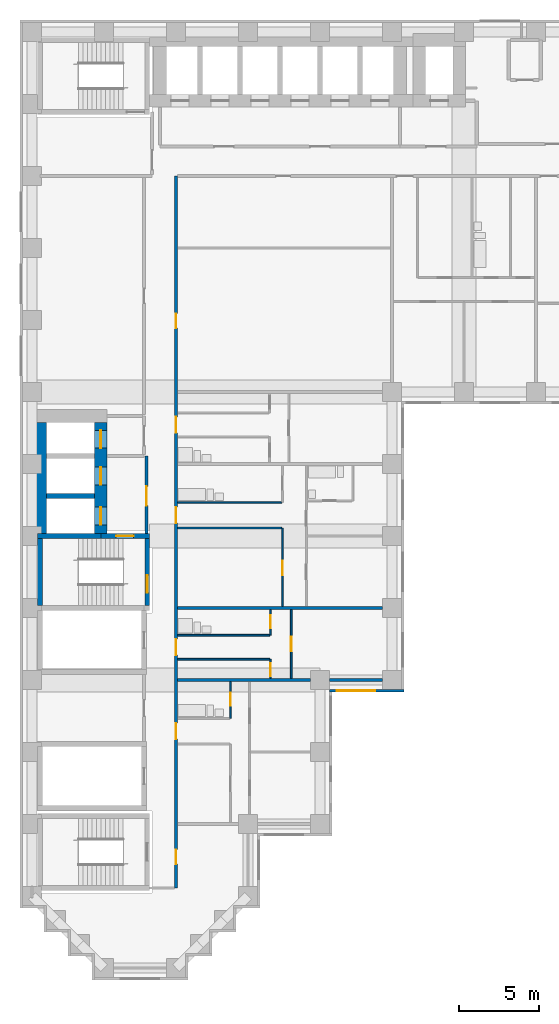
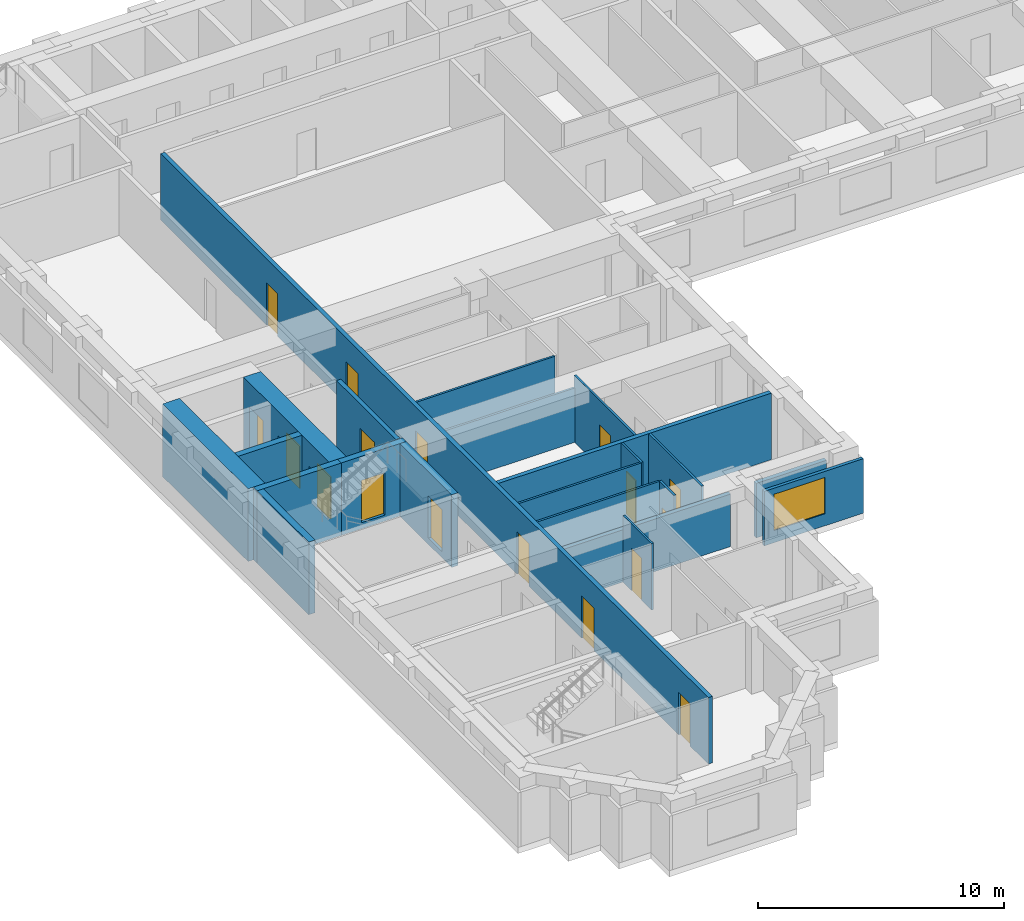
# One storey, part 3 of 11: 22 walls, 17 doors, 1 window, 18 openings.
"""IFC4 building model written with IfcOpenShell, lengths in metres."""

from ifc_helpers import new_model, si_unit, direction, frame, frame_2d, origin, place, context, subcontext, project, spatial, rectangle, extrude, material, layer, layer_set, type_object, element, fill, save


model = new_model("IFC4")

# Units and contexts
model_context = context("Model", 3, precision=1e-05, world=origin(), true_north=direction((0.0, 1.0)))
body_context = subcontext(model_context, "Body", "Model", "MODEL_VIEW")
ifc_project = project(units=[si_unit("LENGTHUNIT", "METRE"), si_unit("AREAUNIT", "SQUARE_METRE"), si_unit("VOLUMEUNIT", "CUBIC_METRE"), si_unit("PLANEANGLEUNIT", "RADIAN"), si_unit("MASSUNIT", "GRAM", prefix="KILO")], contexts=[model_context])

# Site, building, storey
site_placement = place(None, origin())
site = spatial("IfcSite", under=ifc_project, at=site_placement, CompositionType="ELEMENT")
building_placement = place(site_placement, origin())
building = spatial("IfcBuilding", under=site, at=building_placement, Name="Firuza Court", CompositionType="ELEMENT")
storey_placement = place(building_placement, frame((0.0, 0.0, 86.60009765625)))
storey = spatial("IfcBuildingStorey", under=building, at=storey_placement, Name="L21", CompositionType="ELEMENT", Elevation=86.60009765625)

# Walls
ifc_material_1 = material(Name="Moisture-resistant gypsum board partition")
ifc_layer_1 = layer(ifc_material_1, 0.10009765625)
ifc_layer_set_1 = layer_set([ifc_layer_1], Name="Moisture-resistant gypsum board partition")
wall_type_1 = type_object("IfcWallType", Name="Bathroom partition 100", PredefinedType="PLUMBINGWALL", material=ifc_layer_set_1)
wall_1_placement = place(storey_placement, frame((9.10009765625, 20.800048828125, 0.0), z_axis=(0.0, 0.0, 1.0), x_axis=(1.0, 0.0, 0.0)))
element("IfcWall", 1, at=wall_1_placement, inside=storey, type_object=wall_type_1, Name="Bathroom partition 100 L21", PredefinedType="PLUMBINGWALL", context=body_context, shape_type="SweptSolid", body=[
    extrude(rectangle(XDim=5.75, YDim=0.10009765625, at=frame_2d((2.875, 0.0))), origin(), (0.0, 0.0, 1.0), 3.2998046875),
])
wall_2_placement = place(storey_placement, frame((9.10009765625, 29.10009765625, 0.0), z_axis=(0.0, 0.0, 1.0), x_axis=(1.0, 0.0, 0.0)))
element("IfcWall", 2, at=wall_2_placement, inside=storey, type_object=wall_type_1, Name="Bathroom partition 100 L21", PredefinedType="PLUMBINGWALL", context=body_context, shape_type="SweptSolid", body=[
    extrude(rectangle(XDim=6.5, YDim=0.10009765625, at=frame_2d((3.25, 0.0))), origin(), (0.0, 0.0, 1.0), 3.2998046875),
])
ifc_material_2 = material(Name="Concrete C60/75", Category="concrete")
ifc_layer_2 = layer(ifc_material_2, 0.300048828125)
ifc_layer_set_2 = layer_set([ifc_layer_2], Name="Concrete C60/75")
wall_type_2 = type_object("IfcWallType", Name="Core wall 300 C60/75", PredefinedType="SHEAR", material=ifc_layer_set_2)
wall_3_placement = place(storey_placement, frame((0.35009765625, 27.0, -0.300048828125), z_axis=(0.0, 0.0, 1.0), x_axis=(1.0, 0.0, 0.0)))
element("IfcWall", 3, at=wall_3_placement, inside=storey, type_object=wall_type_2, Name="Core wall lift shaft L21", PredefinedType="SHEAR", context=body_context, shape_type="SweptSolid", body=[
    extrude(rectangle(XDim=3.949951171875, YDim=0.300048828125, at=frame_2d((1.97509765625, 0.0))), origin(), (0.0, 0.0, 1.0), 3.599853515625),
])
wall_4_placement = place(storey_placement, frame((0.5, 22.64990234375, -0.300048828125), z_axis=(0.0, 0.0, 1.0), x_axis=(0.0, 1.0, 0.0)))
element("IfcWall", 4, at=wall_4_placement, inside=storey, type_object=wall_type_2, Name="Core wall stair L21", PredefinedType="SHEAR", context=body_context, shape_type="SweptSolid", body=[
    extrude(rectangle(XDim=4.2001953125, YDim=0.300048828125, at=frame_2d((2.10009765625, 0.0))), origin(), (0.0, 0.0, 1.0), 3.599853515625),
])
wall_5_placement = place(storey_placement, frame((0.89990234375, 29.5, -0.300048828125), z_axis=(0.0, 0.0, 1.0), x_axis=(1.0, 0.0, 0.0)))
element("IfcWall", 5, at=wall_5_placement, inside=storey, type_object=wall_type_2, Name="Core wall lift shaft L21", PredefinedType="SHEAR", context=body_context, shape_type="SweptSolid", body=[
    extrude(rectangle(XDim=3.0, YDim=0.300048828125, at=frame_2d((1.5, 0.0))), origin(), (0.0, 0.0, 1.0), 3.599853515625),
])

# Wall, opening, door
wall_6_placement = place(storey_placement, frame((4.300048828125, 27.0, -0.300048828125), z_axis=(0.0, 0.0, 1.0), x_axis=(1.0, 0.0, 0.0)))
wall_6 = element("IfcWall", 6, at=wall_6_placement, inside=storey, type_object=wall_type_2, Name="Core wall stair L21", PredefinedType="SHEAR", context=body_context, shape_type="SweptSolid", body=[
    extrude(rectangle(XDim=3.050048828125, YDim=0.300048828125, at=frame_2d((1.52490234375, 0.0))), origin(), (0.0, 0.0, 1.0), 3.599853515625),
])
opening_1_placement = place(wall_6_placement, frame((0.949951171875, 0.0, 0.300048828125)))
opening_1 = element("IfcOpeningElement", 7, at=opening_1_placement, cuts=wall_6, Name="Opening D21014", PredefinedType="OPENING", context=body_context, shape_type="SweptSolid", body=[
    extrude(rectangle(XDim=1.10009765625, YDim=2.10009765625, at=frame_2d((0.550048828125, 1.050048828125))), frame((0.0, 0.162109375, 0.0), z_axis=(0.0, -1.0, 0.0), x_axis=(1.0, 0.0, 0.0)), (0.0, 0.0, 1.0), 0.323974609375),
])
ifc_material_3 = material(Name="Timber door leaf in hardwood frame", Category="wood")
door_type_1 = type_object("IfcDoorType", Name="Stair door 1100", OperationType="SINGLE_SWING_LEFT", PredefinedType="DOOR", material=ifc_material_3)
door_1_placement = place(opening_1_placement, frame((1.10009765625, 0.0, 0.0), z_axis=(0.0, 0.0, 1.0), x_axis=(-1.0, 0.0, 0.0)))
door_1 = element("IfcDoor", 8, at=door_1_placement, inside=storey, type_object=door_type_1, Name="Fire-fighting lobby door", OperationType="SINGLE_SWING_LEFT", OverallHeight=2.10009765625, OverallWidth=1.10009765625, PredefinedType="DOOR", context=body_context, shape_type="SweptSolid", body=[
    extrude(rectangle(XDim=1.10009765625, YDim=2.10009765625, at=frame_2d((0.550048828125, 1.050048828125))), frame((0.0, 0.02490234375, 0.0), z_axis=(0.0, -1.0, 0.0), x_axis=(1.0, 0.0, 0.0)), (0.0, 0.0, 1.0), 0.050048828125),
])
fill(opening_1, door_1)

wall_7_placement = place(storey_placement, frame((7.199951171875, 22.64990234375, -0.300048828125), z_axis=(0.0, 0.0, 1.0), x_axis=(0.0, 1.0, 0.0)))
wall_7 = element("IfcWall", 9, at=wall_7_placement, inside=storey, type_object=wall_type_2, Name="Core wall stair L21", PredefinedType="SHEAR", context=body_context, shape_type="SweptSolid", body=[
    extrude(rectangle(XDim=4.2001953125, YDim=0.300048828125, at=frame_2d((2.10009765625, 0.0))), origin(), (0.0, 0.0, 1.0), 3.599853515625),
])
opening_2_placement = place(wall_7_placement, frame((0.800048828125, 0.0, 0.300048828125)))
opening_2 = element("IfcOpeningElement", 10, at=opening_2_placement, cuts=wall_7, Name="Opening D21015", PredefinedType="OPENING", context=body_context, shape_type="SweptSolid", body=[
    extrude(rectangle(XDim=1.10009765625, YDim=2.10009765625, at=frame_2d((0.550048828125, 1.050048828125))), frame((0.0, 0.162109375, 0.0), z_axis=(0.0, -1.0, 0.0), x_axis=(1.0, 0.0, 0.0)), (0.0, 0.0, 1.0), 0.323974609375),
])
door_2_placement = place(opening_2_placement, origin())
door_2 = element("IfcDoor", 11, at=door_2_placement, inside=storey, type_object=door_type_1, Name="Stair door S2", OperationType="SINGLE_SWING_LEFT", OverallHeight=2.10009765625, OverallWidth=1.10009765625, PredefinedType="DOOR", context=body_context, shape_type="SweptSolid", body=[
    extrude(rectangle(XDim=1.10009765625, YDim=2.10009765625, at=frame_2d((0.550048828125, 1.050048828125))), frame((0.0, 0.02490234375, 0.0), z_axis=(0.0, -1.0, 0.0), x_axis=(1.0, 0.0, 0.0)), (0.0, 0.0, 1.0), 0.050048828125),
])
fill(opening_2, door_2)

# Wall
ifc_layer_3 = layer(ifc_material_2, 0.800048828125)
ifc_layer_set_3 = layer_set([ifc_layer_3], Name="Concrete C60/75")
wall_type_3 = type_object("IfcWallType", Name="Core wall 800 C60/75", PredefinedType="SHEAR", material=ifc_layer_set_3)
wall_8_placement = place(storey_placement, frame((0.5, 27.14990234375, -0.300048828125), z_axis=(0.0, 0.0, 1.0), x_axis=(0.0, 1.0, 0.0)))
element("IfcWall", 12, at=wall_8_placement, inside=storey, type_object=wall_type_3, Name="Core wall lift shaft L21", PredefinedType="SHEAR", context=body_context, shape_type="SweptSolid", body=[
    extrude(rectangle(XDim=6.9501953125, YDim=0.800048828125, at=frame_2d((3.47509765625, 0.0))), origin(), (0.0, 0.0, 1.0), 3.599853515625),
])

# Wall, openings, doors
wall_9_placement = place(storey_placement, frame((4.300048828125, 27.14990234375, -0.300048828125), z_axis=(0.0, 0.0, 1.0), x_axis=(0.0, 1.0, 0.0)))
wall_9 = element("IfcWall", 13, at=wall_9_placement, inside=storey, type_object=wall_type_3, Name="Core wall lift shaft L21", PredefinedType="SHEAR", context=body_context, shape_type="SweptSolid", body=[
    extrude(rectangle(XDim=6.9501953125, YDim=0.800048828125, at=frame_2d((3.47509765625, 0.0))), origin(), (0.0, 0.0, 1.0), 3.599853515625),
])
opening_3_placement = place(wall_9_placement, frame((3.050048828125, 0.0, 0.300048828125)))
opening_3 = element("IfcOpeningElement", 14, at=opening_3_placement, cuts=wall_9, Name="Opening LD-FL1-21", PredefinedType="OPENING", context=body_context, shape_type="SweptSolid", body=[
    extrude(rectangle(XDim=1.10009765625, YDim=2.10009765625, at=frame_2d((0.550048828125, 1.050048828125))), frame((0.0, 0.412109375, 0.0), z_axis=(0.0, -1.0, 0.0), x_axis=(1.0, 0.0, 0.0)), (0.0, 0.0, 1.0), 0.823974609375),
])
opening_4_placement = place(wall_9_placement, frame((0.550048828125, 0.0, 0.300048828125)))
opening_4 = element("IfcOpeningElement", 15, at=opening_4_placement, cuts=wall_9, Name="Opening LD-FL2-21", PredefinedType="OPENING", context=body_context, shape_type="SweptSolid", body=[
    extrude(rectangle(XDim=1.10009765625, YDim=2.10009765625, at=frame_2d((0.550048828125, 1.050048828125))), frame((0.0, 0.412109375, 0.0), z_axis=(0.0, -1.0, 0.0), x_axis=(1.0, 0.0, 0.0)), (0.0, 0.0, 1.0), 0.823974609375),
])
opening_5_placement = place(wall_9_placement, frame((5.35009765625, 0.0, 0.300048828125)))
opening_5 = element("IfcOpeningElement", 16, at=opening_5_placement, cuts=wall_9, Name="Opening LD-SL1-21", PredefinedType="OPENING", context=body_context, shape_type="SweptSolid", body=[
    extrude(rectangle(XDim=1.10009765625, YDim=2.10009765625, at=frame_2d((0.550048828125, 1.050048828125))), frame((0.0, 0.412109375, 0.0), z_axis=(0.0, -1.0, 0.0), x_axis=(1.0, 0.0, 0.0)), (0.0, 0.0, 1.0), 0.823974609375),
])
ifc_material_4 = material(Name="Stainless steel 1.4301 door leaf", Category="steel")
door_type_2 = type_object("IfcDoorType", Name="Lift landing door 1100", OperationType="SLIDING_TO_LEFT", PredefinedType="DOOR", material=ifc_material_4)
door_3_placement = place(opening_3_placement, origin())
door_3 = element("IfcDoor", 17, at=door_3_placement, inside=storey, type_object=door_type_2, Name="Landing door FL1", OperationType="SLIDING_TO_LEFT", OverallHeight=2.10009765625, OverallWidth=1.10009765625, PredefinedType="DOOR", context=body_context, shape_type="SweptSolid", body=[
    extrude(rectangle(XDim=1.10009765625, YDim=2.10009765625, at=frame_2d((0.550048828125, 1.050048828125))), frame((0.0, 0.02490234375, 0.0), z_axis=(0.0, -1.0, 0.0), x_axis=(1.0, 0.0, 0.0)), (0.0, 0.0, 1.0), 0.050048828125),
])
fill(opening_3, door_3)
door_4_placement = place(opening_4_placement, origin())
door_4 = element("IfcDoor", 18, at=door_4_placement, inside=storey, type_object=door_type_2, Name="Landing door FL2", OperationType="SLIDING_TO_LEFT", OverallHeight=2.10009765625, OverallWidth=1.10009765625, PredefinedType="DOOR", context=body_context, shape_type="SweptSolid", body=[
    extrude(rectangle(XDim=1.10009765625, YDim=2.10009765625, at=frame_2d((0.550048828125, 1.050048828125))), frame((0.0, 0.02490234375, 0.0), z_axis=(0.0, -1.0, 0.0), x_axis=(1.0, 0.0, 0.0)), (0.0, 0.0, 1.0), 0.050048828125),
])
fill(opening_4, door_4)
door_5_placement = place(opening_5_placement, origin())
door_5 = element("IfcDoor", 19, at=door_5_placement, inside=storey, type_object=door_type_2, Name="Landing door SL1", OperationType="SLIDING_TO_LEFT", OverallHeight=2.10009765625, OverallWidth=1.10009765625, PredefinedType="DOOR", context=body_context, shape_type="SweptSolid", body=[
    extrude(rectangle(XDim=1.10009765625, YDim=2.10009765625, at=frame_2d((0.550048828125, 1.050048828125))), frame((0.0, 0.02490234375, 0.0), z_axis=(0.0, -1.0, 0.0), x_axis=(1.0, 0.0, 0.0)), (0.0, 0.0, 1.0), 0.050048828125),
])
fill(opening_5, door_5)

ifc_material_5 = material(Name="Blockwork, plastered both sides", Category="masonry")
ifc_layer_4 = layer(ifc_material_5, 0.199951171875)
ifc_layer_set_4 = layer_set([ifc_layer_4], Name="Blockwork, plastered both sides")
wall_type_4 = type_object("IfcWallType", Name="Corridor wall 200", PredefinedType="PARTITIONING", material=ifc_layer_set_4)
wall_10_placement = place(storey_placement, frame((9.0, 5.0, 0.0), z_axis=(0.0, 0.0, 1.0), x_axis=(0.0, 1.0, 0.0)))
wall_10 = element("IfcWall", 20, at=wall_10_placement, inside=storey, type_object=wall_type_4, Name="Corridor wall 200 L21", PredefinedType="PARTITIONING", context=body_context, shape_type="SweptSolid", body=[
    extrude(rectangle(XDim=44.5, YDim=0.199951171875, at=frame_2d((22.25, 0.0))), origin(), (0.0, 0.0, 1.0), 3.2998046875),
])
opening_6_placement = place(wall_10_placement, frame((28.449951171875, 0.0, 0.0)))
opening_6 = element("IfcOpeningElement", 21, at=opening_6_placement, cuts=wall_10, Name="Opening D21019", PredefinedType="OPENING", context=body_context, shape_type="SweptSolid", body=[
    extrude(rectangle(XDim=1.0, YDim=2.10009765625, at=frame_2d((0.5, 1.050048828125))), frame((0.0, 0.11181640625, 0.0), z_axis=(0.0, -1.0, 0.0), x_axis=(1.0, 0.0, 0.0)), (0.0, 0.0, 1.0), 0.223876953125),
])
opening_7_placement = place(wall_10_placement, frame((22.800048828125, 0.0, 0.0)))
opening_7 = element("IfcOpeningElement", 22, at=opening_7_placement, cuts=wall_10, Name="Opening D21020", PredefinedType="OPENING", context=body_context, shape_type="SweptSolid", body=[
    extrude(rectangle(XDim=1.0, YDim=2.10009765625, at=frame_2d((0.5, 1.050048828125))), frame((0.0, 0.11181640625, 0.0), z_axis=(0.0, -1.0, 0.0), x_axis=(1.0, 0.0, 0.0)), (0.0, 0.0, 1.0), 0.223876953125),
])
opening_8_placement = place(wall_10_placement, frame((14.550048828125, 0.0, 0.0)))
opening_8 = element("IfcOpeningElement", 23, at=opening_8_placement, cuts=wall_10, Name="Opening D21021", PredefinedType="OPENING", context=body_context, shape_type="SweptSolid", body=[
    extrude(rectangle(XDim=1.0, YDim=2.10009765625, at=frame_2d((0.5, 1.050048828125))), frame((0.0, 0.11181640625, 0.0), z_axis=(0.0, -1.0, 0.0), x_axis=(1.0, 0.0, 0.0)), (0.0, 0.0, 1.0), 0.223876953125),
])
opening_9_placement = place(wall_10_placement, frame((9.300048828125, 0.0, 0.0)))
opening_9 = element("IfcOpeningElement", 24, at=opening_9_placement, cuts=wall_10, Name="Opening D21022", PredefinedType="OPENING", context=body_context, shape_type="SweptSolid", body=[
    extrude(rectangle(XDim=1.0, YDim=2.10009765625, at=frame_2d((0.5, 1.050048828125))), frame((0.0, 0.11181640625, 0.0), z_axis=(0.0, -1.0, 0.0), x_axis=(1.0, 0.0, 0.0)), (0.0, 0.0, 1.0), 0.223876953125),
])
opening_10_placement = place(wall_10_placement, frame((35.0, 0.0, 0.0)))
opening_10 = element("IfcOpeningElement", 25, at=opening_10_placement, cuts=wall_10, Name="Opening D21023", PredefinedType="OPENING", context=body_context, shape_type="SweptSolid", body=[
    extrude(rectangle(XDim=0.89990234375, YDim=2.10009765625, at=frame_2d((0.449951171875, 1.050048828125))), frame((0.0, 0.11181640625, 0.0), z_axis=(0.0, -1.0, 0.0), x_axis=(1.0, 0.0, 0.0)), (0.0, 0.0, 1.0), 0.223876953125),
])
opening_11_placement = place(wall_10_placement, frame((1.5, 0.0, 0.0)))
opening_11 = element("IfcOpeningElement", 26, at=opening_11_placement, cuts=wall_10, Name="Opening D21024", PredefinedType="OPENING", context=body_context, shape_type="SweptSolid", body=[
    extrude(rectangle(XDim=0.89990234375, YDim=2.10009765625, at=frame_2d((0.449951171875, 1.050048828125))), frame((0.0, 0.11181640625, 0.0), z_axis=(0.0, -1.0, 0.0), x_axis=(1.0, 0.0, 0.0)), (0.0, 0.0, 1.0), 0.223876953125),
])
ifc_material_6 = material(Name="Timber door leaf in hardwood frame", Category="wood")
door_type_3 = type_object("IfcDoorType", Name="Flat entrance door 1000", OperationType="SINGLE_SWING_LEFT", PredefinedType="DOOR", material=ifc_material_6)
door_6_placement = place(opening_6_placement, origin())
door_6 = element("IfcDoor", 27, at=door_6_placement, inside=storey, type_object=door_type_3, Name="Flat entrance door", OperationType="SINGLE_SWING_LEFT", OverallHeight=2.10009765625, OverallWidth=1.0, PredefinedType="DOOR", context=body_context, shape_type="SweptSolid", body=[
    extrude(rectangle(XDim=1.0, YDim=2.10009765625, at=frame_2d((0.5, 1.050048828125))), frame((0.0, 0.02490234375, 0.0), z_axis=(0.0, -1.0, 0.0), x_axis=(1.0, 0.0, 0.0)), (0.0, 0.0, 1.0), 0.050048828125),
])
fill(opening_6, door_6)
door_7_placement = place(opening_7_placement, origin())
door_7 = element("IfcDoor", 28, at=door_7_placement, inside=storey, type_object=door_type_3, Name="Flat entrance door", OperationType="SINGLE_SWING_LEFT", OverallHeight=2.10009765625, OverallWidth=1.0, PredefinedType="DOOR", context=body_context, shape_type="SweptSolid", body=[
    extrude(rectangle(XDim=1.0, YDim=2.10009765625, at=frame_2d((0.5, 1.050048828125))), frame((0.0, 0.02490234375, 0.0), z_axis=(0.0, -1.0, 0.0), x_axis=(1.0, 0.0, 0.0)), (0.0, 0.0, 1.0), 0.050048828125),
])
fill(opening_7, door_7)
door_8_placement = place(opening_8_placement, origin())
door_8 = element("IfcDoor", 29, at=door_8_placement, inside=storey, type_object=door_type_3, Name="Flat entrance door", OperationType="SINGLE_SWING_LEFT", OverallHeight=2.10009765625, OverallWidth=1.0, PredefinedType="DOOR", context=body_context, shape_type="SweptSolid", body=[
    extrude(rectangle(XDim=1.0, YDim=2.10009765625, at=frame_2d((0.5, 1.050048828125))), frame((0.0, 0.02490234375, 0.0), z_axis=(0.0, -1.0, 0.0), x_axis=(1.0, 0.0, 0.0)), (0.0, 0.0, 1.0), 0.050048828125),
])
fill(opening_8, door_8)
door_9_placement = place(opening_9_placement, origin())
door_9 = element("IfcDoor", 30, at=door_9_placement, inside=storey, type_object=door_type_3, Name="Flat entrance door", OperationType="SINGLE_SWING_LEFT", OverallHeight=2.10009765625, OverallWidth=1.0, PredefinedType="DOOR", context=body_context, shape_type="SweptSolid", body=[
    extrude(rectangle(XDim=1.0, YDim=2.10009765625, at=frame_2d((0.5, 1.050048828125))), frame((0.0, 0.02490234375, 0.0), z_axis=(0.0, -1.0, 0.0), x_axis=(1.0, 0.0, 0.0)), (0.0, 0.0, 1.0), 0.050048828125),
])
fill(opening_9, door_9)
ifc_material_7 = material(Name="Timber door leaf in hardwood frame", Category="wood")
door_type_4 = type_object("IfcDoorType", Name="Room door 900 EI 30", OperationType="SINGLE_SWING_LEFT", PredefinedType="DOOR", material=ifc_material_7)
door_10_placement = place(opening_10_placement, frame((0.89990234375, 0.0, 0.0), z_axis=(0.0, 0.0, 1.0), x_axis=(-1.0, 0.0, 0.0)))
door_10 = element("IfcDoor", 31, at=door_10_placement, inside=storey, type_object=door_type_4, Name="Meeting room door", OperationType="SINGLE_SWING_RIGHT", OverallHeight=2.10009765625, OverallWidth=0.89990234375, PredefinedType="DOOR", context=body_context, shape_type="SweptSolid", body=[
    extrude(rectangle(XDim=0.89990234375, YDim=2.10009765625, at=frame_2d((0.449951171875, 1.050048828125))), frame((0.0, 0.02490234375, 0.0), z_axis=(0.0, -1.0, 0.0), x_axis=(1.0, 0.0, 0.0)), (0.0, 0.0, 1.0), 0.050048828125),
])
fill(opening_10, door_10)
door_11_placement = place(opening_11_placement, origin())
door_11 = element("IfcDoor", 32, at=door_11_placement, inside=storey, type_object=door_type_4, Name="Fitness studio door", OperationType="SINGLE_SWING_LEFT", OverallHeight=2.10009765625, OverallWidth=0.89990234375, PredefinedType="DOOR", context=body_context, shape_type="SweptSolid", body=[
    extrude(rectangle(XDim=0.89990234375, YDim=2.10009765625, at=frame_2d((0.449951171875, 1.050048828125))), frame((0.0, 0.02490234375, 0.0), z_axis=(0.0, -1.0, 0.0), x_axis=(1.0, 0.0, 0.0)), (0.0, 0.0, 1.0), 0.050048828125),
])
fill(opening_11, door_11)

# Wall, opening, door
ifc_material_8 = material(Name="Timber stud partition, plasterboard both sides", Category="wood")
ifc_layer_5 = layer(ifc_material_8, 0.10009765625)
ifc_layer_set_5 = layer_set([ifc_layer_5], Name="Timber stud partition, plasterboard both sides")
wall_type_5 = type_object("IfcWallType", Name="Partition wall 100", PredefinedType="PARTITIONING", material=ifc_layer_set_5)
wall_11_placement = place(storey_placement, frame((12.39990234375, 15.60009765625, 0.0), z_axis=(0.0, 0.0, 1.0), x_axis=(0.0, 1.0, 0.0)))
wall_11 = element("IfcWall", 33, at=wall_11_placement, inside=storey, type_object=wall_type_5, Name="Partition wall 100 L21", PredefinedType="PARTITIONING", context=body_context, shape_type="SweptSolid", body=[
    extrude(rectangle(XDim=2.2998046875, YDim=0.10009765625, at=frame_2d((1.14990234375, 0.0))), origin(), (0.0, 0.0, 1.0), 3.2998046875),
])
opening_12_placement = place(wall_11_placement, frame((0.800048828125, 0.0, 0.0)))
opening_12 = element("IfcOpeningElement", 34, at=opening_12_placement, cuts=wall_11, Name="Opening D21029", PredefinedType="OPENING", context=body_context, shape_type="SweptSolid", body=[
    extrude(rectangle(XDim=0.800048828125, YDim=2.10009765625, at=frame_2d((0.39990234375, 1.050048828125))), frame((0.0, 0.06201171875, 0.0), z_axis=(0.0, -1.0, 0.0), x_axis=(1.0, 0.0, 0.0)), (0.0, 0.0, 1.0), 0.1240234375),
])
ifc_material_9 = material(Name="Timber door leaf in hardwood frame", Category="wood")
door_type_5 = type_object("IfcDoorType", Name="Bathroom door 800", OperationType="SINGLE_SWING_LEFT", PredefinedType="DOOR", material=ifc_material_9)
door_12_placement = place(opening_12_placement, origin())
door_12 = element("IfcDoor", 35, at=door_12_placement, inside=storey, type_object=door_type_5, Name="Bathroom door", OperationType="SINGLE_SWING_LEFT", OverallHeight=2.10009765625, OverallWidth=0.800048828125, PredefinedType="DOOR", context=body_context, shape_type="SweptSolid", body=[
    extrude(rectangle(XDim=0.800048828125, YDim=2.10009765625, at=frame_2d((0.39990234375, 1.050048828125))), frame((0.0, 0.02490234375, 0.0), z_axis=(0.0, -1.0, 0.0), x_axis=(1.0, 0.0, 0.0)), (0.0, 0.0, 1.0), 0.050048828125),
])
fill(opening_12, door_12)

wall_12_placement = place(storey_placement, frame((14.89990234375, 18.10009765625, 0.0), z_axis=(0.0, 0.0, 1.0), x_axis=(0.0, 1.0, 0.0)))
wall_12 = element("IfcWall", 36, at=wall_12_placement, inside=storey, type_object=wall_type_5, Name="Partition wall 100 L21", PredefinedType="PARTITIONING", context=body_context, shape_type="SweptSolid", body=[
    extrude(rectangle(XDim=1.199951171875, YDim=0.10009765625, at=frame_2d((0.60009765625, 0.0))), origin(), (0.0, 0.0, 1.0), 3.2998046875),
])
opening_13_placement = place(wall_12_placement, frame((0.14990234375, 0.0, 0.0)))
opening_13 = element("IfcOpeningElement", 37, at=opening_13_placement, cuts=wall_12, Name="Opening D21030", PredefinedType="OPENING", context=body_context, shape_type="SweptSolid", body=[
    extrude(rectangle(XDim=0.800048828125, YDim=2.10009765625, at=frame_2d((0.39990234375, 1.050048828125))), frame((0.0, 0.06201171875, 0.0), z_axis=(0.0, -1.0, 0.0), x_axis=(1.0, 0.0, 0.0)), (0.0, 0.0, 1.0), 0.1240234375),
])
ifc_material_10 = material(Name="Timber door leaf in hardwood frame", Category="wood")
door_type_6 = type_object("IfcDoorType", Name="Room door 800", OperationType="SINGLE_SWING_LEFT", PredefinedType="DOOR", material=ifc_material_10)
door_13_placement = place(opening_13_placement, origin())
door_13 = element("IfcDoor", 38, at=door_13_placement, inside=storey, type_object=door_type_6, Name="Kitchen door", OperationType="SINGLE_SWING_LEFT", OverallHeight=2.10009765625, OverallWidth=0.800048828125, PredefinedType="DOOR", context=body_context, shape_type="SweptSolid", body=[
    extrude(rectangle(XDim=0.800048828125, YDim=2.10009765625, at=frame_2d((0.39990234375, 1.050048828125))), frame((0.0, 0.02490234375, 0.0), z_axis=(0.0, -1.0, 0.0), x_axis=(1.0, 0.0, 0.0)), (0.0, 0.0, 1.0), 0.050048828125),
])
fill(opening_13, door_13)

wall_13_placement = place(storey_placement, frame((16.199951171875, 18.10009765625, 0.0), z_axis=(0.0, 0.0, 1.0), x_axis=(0.0, 1.0, 0.0)))
wall_13 = element("IfcWall", 39, at=wall_13_placement, inside=storey, type_object=wall_type_5, Name="Partition wall 100 L21", PredefinedType="PARTITIONING", context=body_context, shape_type="SweptSolid", body=[
    extrude(rectangle(XDim=4.2998046875, YDim=0.10009765625, at=frame_2d((2.14990234375, 0.0))), origin(), (0.0, 0.0, 1.0), 3.2998046875),
])
opening_14_placement = place(wall_13_placement, frame((1.699951171875, 0.0, 0.0)))
opening_14 = element("IfcOpeningElement", 40, at=opening_14_placement, cuts=wall_13, Name="Opening D21031", PredefinedType="OPENING", context=body_context, shape_type="SweptSolid", body=[
    extrude(rectangle(XDim=0.89990234375, YDim=2.10009765625, at=frame_2d((0.449951171875, 1.050048828125))), frame((0.0, 0.06201171875, 0.0), z_axis=(0.0, -1.0, 0.0), x_axis=(1.0, 0.0, 0.0)), (0.0, 0.0, 1.0), 0.1240234375),
])
ifc_material_11 = material(Name="Timber door leaf in hardwood frame", Category="wood")
door_type_7 = type_object("IfcDoorType", Name="Room door 900", OperationType="SINGLE_SWING_LEFT", PredefinedType="DOOR", material=ifc_material_11)
door_14_placement = place(opening_14_placement, frame((0.89990234375, 0.0, 0.0), z_axis=(0.0, 0.0, 1.0), x_axis=(-1.0, 0.0, 0.0)))
door_14 = element("IfcDoor", 41, at=door_14_placement, inside=storey, type_object=door_type_7, Name="Studio room door", OperationType="SINGLE_SWING_RIGHT", OverallHeight=2.10009765625, OverallWidth=0.89990234375, PredefinedType="DOOR", context=body_context, shape_type="SweptSolid", body=[
    extrude(rectangle(XDim=0.89990234375, YDim=2.10009765625, at=frame_2d((0.449951171875, 1.050048828125))), frame((0.0, 0.02490234375, 0.0), z_axis=(0.0, -1.0, 0.0), x_axis=(1.0, 0.0, 0.0)), (0.0, 0.0, 1.0), 0.050048828125),
])
fill(opening_14, door_14)

# Wall
wall_14_placement = place(storey_placement, frame((9.10009765625, 19.300048828125, 0.0), z_axis=(0.0, 0.0, 1.0), x_axis=(1.0, 0.0, 0.0)))
element("IfcWall", 42, at=wall_14_placement, inside=storey, type_object=wall_type_5, Name="Partition wall 100 L21", PredefinedType="PARTITIONING", context=body_context, shape_type="SweptSolid", body=[
    extrude(rectangle(XDim=5.75, YDim=0.10009765625, at=frame_2d((2.875, 0.0))), origin(), (0.0, 0.0, 1.0), 3.2998046875),
])

# Wall, opening, door
wall_15_placement = place(storey_placement, frame((14.89990234375, 20.800048828125, 0.0), z_axis=(0.0, 0.0, 1.0), x_axis=(0.0, 1.0, 0.0)))
wall_15 = element("IfcWall", 43, at=wall_15_placement, inside=storey, type_object=wall_type_5, Name="Partition wall 100 L21", PredefinedType="PARTITIONING", context=body_context, shape_type="SweptSolid", body=[
    extrude(rectangle(XDim=1.599853515625, YDim=0.10009765625, at=frame_2d((0.7998046875, 0.0))), origin(), (0.0, 0.0, 1.0), 3.2998046875),
])
opening_15_placement = place(wall_15_placement, frame((0.449951171875, 0.0, 0.0)))
opening_15 = element("IfcOpeningElement", 44, at=opening_15_placement, cuts=wall_15, Name="Opening D21032", PredefinedType="OPENING", context=body_context, shape_type="SweptSolid", body=[
    extrude(rectangle(XDim=0.800048828125, YDim=2.10009765625, at=frame_2d((0.39990234375, 1.050048828125))), frame((0.0, 0.06201171875, 0.0), z_axis=(0.0, -1.0, 0.0), x_axis=(1.0, 0.0, 0.0)), (0.0, 0.0, 1.0), 0.1240234375),
])
door_15_placement = place(opening_15_placement, origin())
door_15 = element("IfcDoor", 45, at=door_15_placement, inside=storey, type_object=door_type_5, Name="Bathroom door", OperationType="SINGLE_SWING_LEFT", OverallHeight=2.10009765625, OverallWidth=0.800048828125, PredefinedType="DOOR", context=body_context, shape_type="SweptSolid", body=[
    extrude(rectangle(XDim=0.800048828125, YDim=2.10009765625, at=frame_2d((0.39990234375, 1.050048828125))), frame((0.0, 0.02490234375, 0.0), z_axis=(0.0, -1.0, 0.0), x_axis=(1.0, 0.0, 0.0)), (0.0, 0.0, 1.0), 0.050048828125),
])
fill(opening_15, door_15)

wall_16_placement = place(storey_placement, frame((15.64990234375, 22.60009765625, 0.0), z_axis=(0.0, 0.0, 1.0), x_axis=(0.0, 1.0, 0.0)))
wall_16 = element("IfcWall", 46, at=wall_16_placement, inside=storey, type_object=wall_type_5, Name="Partition wall 100 L21", PredefinedType="PARTITIONING", context=body_context, shape_type="SweptSolid", body=[
    extrude(rectangle(XDim=4.89990234375, YDim=0.10009765625, at=frame_2d((2.449951171875, 0.0))), origin(), (0.0, 0.0, 1.0), 3.2998046875),
])
opening_16_placement = place(wall_16_placement, frame((1.949951171875, 0.0, 0.0)))
opening_16 = element("IfcOpeningElement", 47, at=opening_16_placement, cuts=wall_16, Name="Opening D21033", PredefinedType="OPENING", context=body_context, shape_type="SweptSolid", body=[
    extrude(rectangle(XDim=0.89990234375, YDim=2.10009765625, at=frame_2d((0.449951171875, 1.050048828125))), frame((0.0, 0.06201171875, 0.0), z_axis=(0.0, -1.0, 0.0), x_axis=(1.0, 0.0, 0.0)), (0.0, 0.0, 1.0), 0.1240234375),
])
door_16_placement = place(opening_16_placement, origin())
door_16 = element("IfcDoor", 48, at=door_16_placement, inside=storey, type_object=door_type_7, Name="Kitchen door", OperationType="SINGLE_SWING_LEFT", OverallHeight=2.10009765625, OverallWidth=0.89990234375, PredefinedType="DOOR", context=body_context, shape_type="SweptSolid", body=[
    extrude(rectangle(XDim=0.89990234375, YDim=2.10009765625, at=frame_2d((0.449951171875, 1.050048828125))), frame((0.0, 0.02490234375, 0.0), z_axis=(0.0, -1.0, 0.0), x_axis=(1.0, 0.0, 0.0)), (0.0, 0.0, 1.0), 0.050048828125),
])
fill(opening_16, door_16)

# Walls
wall_17_placement = place(storey_placement, frame((9.10009765625, 27.5, 0.0), z_axis=(0.0, 0.0, 1.0), x_axis=(1.0, 0.0, 0.0)))
element("IfcWall", 49, at=wall_17_placement, inside=storey, type_object=wall_type_5, Name="Partition wall 100 L21", PredefinedType="PARTITIONING", context=body_context, shape_type="SweptSolid", body=[
    extrude(rectangle(XDim=6.5, YDim=0.10009765625, at=frame_2d((3.25, 0.0))), origin(), (0.0, 0.0, 1.0), 2.699951171875),
])
ifc_layer_6 = layer(ifc_material_5, 0.199951171875)
ifc_layer_set_6 = layer_set([ifc_layer_6], Name="Blockwork, plastered both sides")
wall_type_6 = type_object("IfcWallType", Name="Party wall 200", PredefinedType="PARTITIONING", material=ifc_layer_set_6)
wall_18_placement = place(storey_placement, frame((9.10009765625, 18.0, 0.0), z_axis=(0.0, 0.0, 1.0), x_axis=(1.0, 0.0, 0.0)))
element("IfcWall", 50, at=wall_18_placement, inside=storey, type_object=wall_type_6, Name="Party wall 200 L21", PredefinedType="PARTITIONING", context=body_context, shape_type="SweptSolid", body=[
    extrude(rectangle(XDim=8.2998046875, YDim=0.199951171875, at=frame_2d((4.14990234375, 0.0))), origin(), (0.0, 0.0, 1.0), 2.599853515625),
])
wall_19_placement = place(storey_placement, frame((18.60009765625, 18.0, 0.0), z_axis=(0.0, 0.0, 1.0), x_axis=(1.0, 0.0, 0.0)))
element("IfcWall", 51, at=wall_19_placement, inside=storey, type_object=wall_type_6, Name="Party wall 200 L21", PredefinedType="PARTITIONING", context=body_context, shape_type="SweptSolid", body=[
    extrude(rectangle(XDim=3.2998046875, YDim=0.199951171875, at=frame_2d((1.64990234375, 0.0))), origin(), (0.0, 0.0, 1.0), 2.699951171875),
])
wall_20_placement = place(storey_placement, frame((9.10009765625, 22.5, 0.0), z_axis=(0.0, 0.0, 1.0), x_axis=(1.0, 0.0, 0.0)))
element("IfcWall", 52, at=wall_20_placement, inside=storey, type_object=wall_type_6, Name="Party wall 200 L21", PredefinedType="PARTITIONING", context=body_context, shape_type="SweptSolid", body=[
    extrude(rectangle(XDim=12.7998046875, YDim=0.199951171875, at=frame_2d((6.39990234375, 0.0))), origin(), (0.0, 0.0, 1.0), 3.2998046875),
])

# Wall, opening, window
ifc_material_12 = material(Name="Ceramic tile", Category="ceramic")
ifc_layer_7 = layer(ifc_material_12, 0.02001953125)
ifc_material_13 = material(Name="Mineral wool insulation", Category="insulation")
ifc_layer_8 = layer(ifc_material_13, 0.050048828125)
ifc_material_14 = material(Name="Concrete C40/50 precast", Category="concrete")
ifc_layer_9 = layer(ifc_material_14, 0.080078125)
ifc_layer_set_7 = layer_set([ifc_layer_7, ifc_layer_8, ifc_layer_9], Name="Concrete C40/50 precast")
wall_type_7 = type_object("IfcWallType", Name="Precast cladding wall with turquoise TILE PANEL face 150", PredefinedType="STANDARD", material=ifc_layer_set_7)
wall_21_placement = place(storey_placement, frame((18.60009765625, 17.324951171875, 0.0), z_axis=(0.0, 0.0, 1.0), x_axis=(1.0, 0.0, 0.0)))
wall_21 = element("IfcWall", 53, at=wall_21_placement, inside=storey, type_object=wall_type_7, Name="Facade wall L21 S", PredefinedType="STANDARD", context=body_context, shape_type="SweptSolid", body=[
    extrude(rectangle(XDim=4.64990234375, YDim=0.14990234375, at=frame_2d((2.324951171875, 0.0))), origin(), (0.0, 0.0, 1.0), 2.699951171875),
])
opening_17_placement = place(wall_21_placement, frame((0.449951171875, 0.0, 0.60009765625)))
opening_17 = element("IfcOpeningElement", 54, at=opening_17_placement, cuts=wall_21, Name="Opening W1", PredefinedType="OPENING", context=body_context, shape_type="SweptSolid", body=[
    extrude(rectangle(XDim=2.39990234375, YDim=1.800048828125, at=frame_2d((1.199951171875, 0.89990234375))), frame((0.0, 0.0869140625, 0.0), z_axis=(0.0, -1.0, 0.0), x_axis=(1.0, 0.0, 0.0)), (0.0, 0.0, 1.0), 0.173828125),
])
ifc_material_15 = material(Name="Aluminium frame, triple clear glazing", Category="aluminium")
window_type = type_object("IfcWindowType", Name="Window W1 2400 x 1800", PartitioningType="SINGLE_PANEL", PredefinedType="WINDOW", material=ifc_material_15)
window_placement = place(opening_17_placement, origin())
window = element("IfcWindow", 55, at=window_placement, inside=storey, type_object=window_type, Name="Window L21", OverallHeight=1.800048828125, OverallWidth=2.39990234375, PartitioningType="SINGLE_PANEL", PredefinedType="WINDOW", context=body_context, shape_type="SweptSolid", body=[
    extrude(rectangle(XDim=2.39990234375, YDim=1.800048828125, at=frame_2d((1.199951171875, 0.89990234375))), frame((0.0, 0.030029296875, 0.0), z_axis=(0.0, -1.0, 0.0), x_axis=(1.0, 0.0, 0.0)), (0.0, 0.0, 1.0), 0.06005859375),
])
fill(opening_17, window)

# Wall, opening, door
ifc_material_16 = material(Name="Blockwork, fire-rated", Category="masonry")
ifc_layer_10 = layer(ifc_material_16, 0.199951171875)
ifc_layer_set_8 = layer_set([ifc_layer_10], Name="Blockwork, fire-rated")
wall_type_8 = type_object("IfcWallType", Name="Shaft wall 200", PredefinedType="PARTITIONING", material=ifc_layer_set_8)
wall_22_placement = place(storey_placement, frame((7.14990234375, 27.169921875, 0.0), z_axis=(0.0, 0.0, 1.0), x_axis=(0.0, 1.0, 0.0)))
wall_22 = element("IfcWall", 56, at=wall_22_placement, inside=storey, type_object=wall_type_8, Name="Shaft wall 200 L21", PredefinedType="PARTITIONING", context=body_context, shape_type="SweptSolid", body=[
    extrude(rectangle(XDim=4.830078125, YDim=0.199951171875, at=frame_2d((2.4150390625, 0.0))), origin(), (0.0, 0.0, 1.0), 3.2998046875),
])
opening_18_placement = place(wall_22_placement, frame((1.72998046875, 0.0, 0.0)))
opening_18 = element("IfcOpeningElement", 57, at=opening_18_placement, cuts=wall_22, Name="Opening D21002", PredefinedType="OPENING", context=body_context, shape_type="SweptSolid", body=[
    extrude(rectangle(XDim=1.199951171875, YDim=2.10009765625, at=frame_2d((0.60009765625, 1.050048828125))), frame((0.0, 0.11181640625, 0.0), z_axis=(0.0, -1.0, 0.0), x_axis=(1.0, 0.0, 0.0)), (0.0, 0.0, 1.0), 0.223876953125),
])
ifc_material_17 = material(Name="Timber door leaf in hardwood frame", Category="wood")
door_type_8 = type_object("IfcDoorType", Name="Lobby door 1200", OperationType="SINGLE_SWING_LEFT", PredefinedType="DOOR", material=ifc_material_17)
door_17_placement = place(opening_18_placement, origin())
door_17 = element("IfcDoor", 58, at=door_17_placement, inside=storey, type_object=door_type_8, Name="Fire-fighting lobby door", OperationType="SINGLE_SWING_LEFT", OverallHeight=2.10009765625, OverallWidth=1.199951171875, PredefinedType="DOOR", context=body_context, shape_type="SweptSolid", body=[
    extrude(rectangle(XDim=1.199951171875, YDim=2.10009765625, at=frame_2d((0.60009765625, 1.050048828125))), frame((0.0, 0.02490234375, 0.0), z_axis=(0.0, -1.0, 0.0), x_axis=(1.0, 0.0, 0.0)), (0.0, 0.0, 1.0), 0.050048828125),
])
fill(opening_18, door_17)

save(model, "model.ifc")
